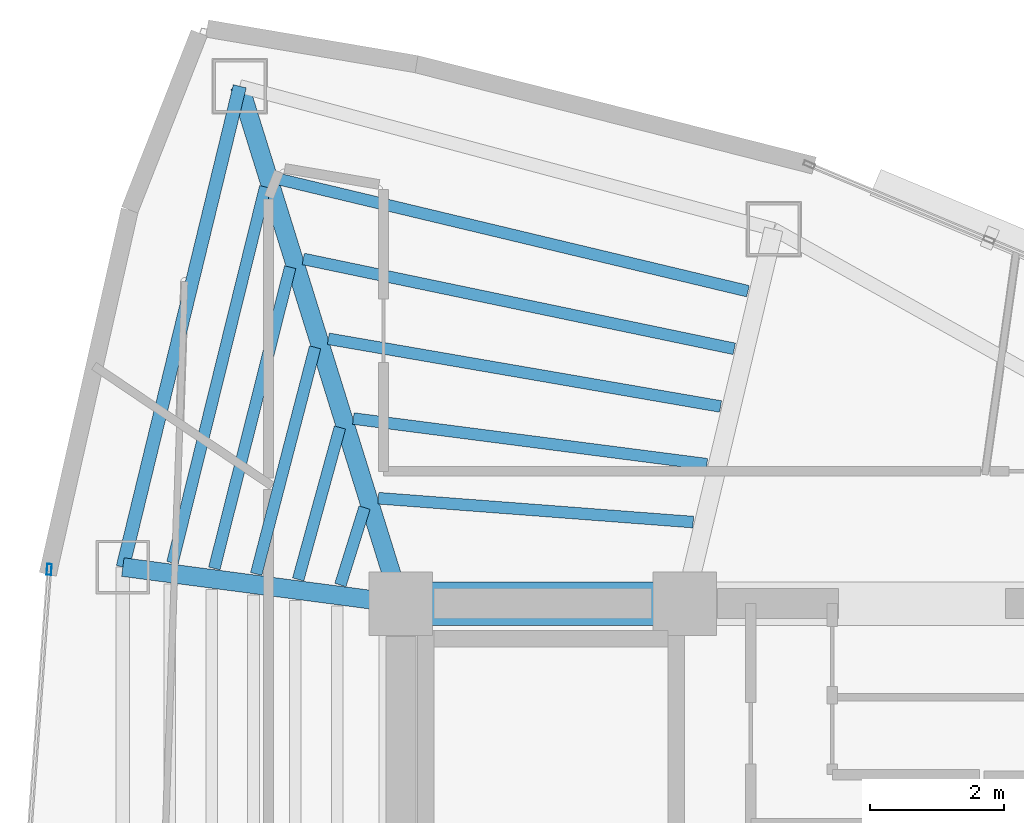
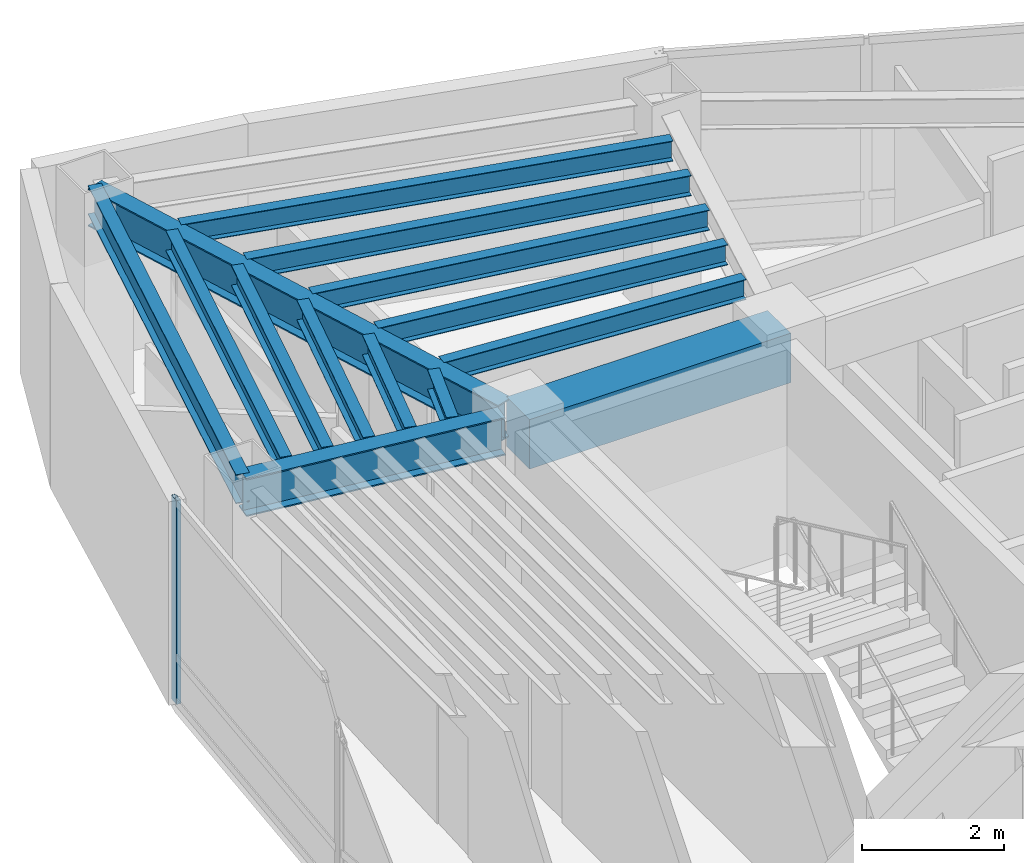
# One storey, part 7 of 16: 14 beams, 1 member, 1 element without a shape of its own.
"""IFC4 building model written with IfcOpenShell, lengths in metres."""

from ifc_helpers import new_model, si_unit, direction, frame, origin, origin_2d, place, context, subcontext, project, spatial, rectangle, hollow_rectangle, i_section, extrude, material, layer, layer_set, material_profile, profile_set, type_object, element, aggregate, save


model = new_model("IFC4")

# Units and contexts
model_context = context("Model", 3, precision=1e-05, world=origin(), true_north=direction((0.0, 1.0)))
body_context = subcontext(model_context, "Body", "Model", "MODEL_VIEW")
ifc_project = project(units=[si_unit("LENGTHUNIT", "METRE"), si_unit("AREAUNIT", "SQUARE_METRE"), si_unit("VOLUMEUNIT", "CUBIC_METRE"), si_unit("PLANEANGLEUNIT", "RADIAN"), si_unit("MASSUNIT", "GRAM", prefix="KILO")], contexts=[model_context])

# Site, building, storey
site_placement = place(None, origin())
site = spatial("IfcSite", under=ifc_project, at=site_placement, CompositionType="ELEMENT")
building_placement = place(site_placement, origin())
building = spatial("IfcBuilding", under=site, at=building_placement, Name="Menara Vayukalpa", CompositionType="ELEMENT")
storey_placement = place(building_placement, frame((0.0, 0.0, 280.6201171875)))
storey = spatial("IfcBuildingStorey", under=building, at=storey_placement, Name="L71", CompositionType="ELEMENT", Elevation=280.6201171875)

# Beams
ifc_material_1 = material(Name="Concrete C60/75", Category="concrete")
ifc_material_profile_1 = material_profile(ifc_material_1, rectangle(XDim=0.64990234375, YDim=0.85009765625, at=origin_2d()), Name="RC 650x850")
ifc_profile_set_1 = profile_set([ifc_material_profile_1], Name="Concrete C60/75")
beam_type_1 = type_object("IfcBeamType", Name="BM-CB1", PredefinedType="BEAM", material=ifc_profile_set_1)
beam_1_placement = place(storey_placement, frame((17.800048828125, 26.800048828125, 3.074951171875), z_axis=(1.0, 0.0, 0.0), x_axis=(0.0, 1.0, 0.0)))
element("IfcBeam", 1, at=beam_1_placement, inside=storey, type_object=beam_type_1, Name="L71 Core Tie Beam CBR4", PredefinedType="BEAM", context=body_context, shape_type="SweptSolid", body=[
    extrude(rectangle(XDim=0.64990234375, YDim=0.85009765625, at=origin_2d()), origin(), (0.0, 0.0, 1.0), 4.25),
])
ifc_material_2 = material(Name="Steel S355", Category="steel")
ifc_material_profile_2 = material_profile(ifc_material_2, i_section(OverallWidth=0.280029296875, OverallDepth=0.64990234375, WebThickness=0.012939453125, FlangeThickness=0.02197265625, at=origin_2d()), Name="WF 650x280x13x22")
ifc_profile_set_2 = profile_set([ifc_material_profile_2], Name="Steel S355")
beam_type_2 = type_object("IfcBeamType", Name="BM-PG6", PredefinedType="BEAM", material=ifc_profile_set_2)
beam_2_placement = place(storey_placement, frame((17.7255859375, 27.038818359375, 3.1748046875), z_axis=(-0.297213792842, 0.954810955815, 0.0), x_axis=(-0.954810955815, -0.297213792842, 0.0)))
element("IfcBeam", 2, at=beam_2_placement, inside=storey, type_object=beam_type_2, Name="L71 Primary Radial Girder RG04", PredefinedType="BEAM", context=body_context, shape_type="SweptSolid", body=[
    extrude(i_section(OverallWidth=0.280029296875, OverallDepth=0.64990234375, WebThickness=0.012939453125, FlangeThickness=0.02197265625, at=origin_2d()), origin(), (0.0, 0.0, 1.0), 7.861083984375),
])
beam_3_placement = place(storey_placement, frame((17.552001953125, 26.83251953125, 3.1748046875), z_axis=(-0.991477860763, 0.130275291662, 0.0), x_axis=(-0.130275291662, -0.991477860763, 0.0)))
element("IfcBeam", 3, at=beam_3_placement, inside=storey, type_object=beam_type_2, Name="L71 Primary Radial Girder RG05", PredefinedType="BEAM", context=body_context, shape_type="SweptSolid", body=[
    extrude(i_section(OverallWidth=0.280029296875, OverallDepth=0.64990234375, WebThickness=0.012939453125, FlangeThickness=0.02197265625, at=origin_2d()), origin(), (0.0, 0.0, 1.0), 3.94677734375),
])
ifc_material_3 = material(Name="Steel S355", Category="steel")
ifc_material_profile_3 = material_profile(ifc_material_3, i_section(OverallWidth=0.175048828125, OverallDepth=0.35009765625, WebThickness=0.007080078125, FlangeThickness=0.010986328125, at=origin_2d()), Name="WF 350x175x7x11")
ifc_profile_set_3 = profile_set([ifc_material_profile_3], Name="Steel S355")
beam_type_3 = type_object("IfcBeamType", Name="BM-SJ3", PredefinedType="JOIST", material=ifc_profile_set_3)
beam_4_placement = place(storey_placement, frame((22.177490234375, 28.0205078125, 3.324951171875), z_axis=(-0.997140447376, 0.075570683512, 0.0), x_axis=(-0.075570683512, -0.997140447376, 0.0)))
element("IfcBeam", 4, at=beam_4_placement, inside=storey, type_object=beam_type_3, Name="L71 Secondary Floor Joist SJ03-1", PredefinedType="JOIST", context=body_context, shape_type="SweptSolid", body=[
    extrude(i_section(OverallWidth=0.175048828125, OverallDepth=0.35009765625, WebThickness=0.007080078125, FlangeThickness=0.010986328125, at=origin_2d()), origin(), (0.0, 0.0, 1.0), 4.726318359375),
])
beam_5_placement = place(storey_placement, frame((22.38232421875, 28.88671875, 3.324951171875), z_axis=(-0.991761375414, 0.128099079766, 0.0), x_axis=(-0.128099079766, -0.991761375414, 0.0)))
element("IfcBeam", 5, at=beam_5_placement, inside=storey, type_object=beam_type_3, Name="L71 Secondary Floor Joist SJ03-2", PredefinedType="JOIST", context=body_context, shape_type="SweptSolid", body=[
    extrude(i_section(OverallWidth=0.175048828125, OverallDepth=0.35009765625, WebThickness=0.007080078125, FlangeThickness=0.010986328125, at=origin_2d()), origin(), (0.0, 0.0, 1.0), 5.33642578125),
])
beam_6_placement = place(storey_placement, frame((22.587158203125, 29.751220703125, 3.324951171875), z_axis=(-0.985438818134, 0.170030396443, 0.0), x_axis=(-0.170030396443, -0.985438818134, 0.0)))
element("IfcBeam", 6, at=beam_6_placement, inside=storey, type_object=beam_type_3, Name="L71 Secondary Floor Joist SJ03-3", PredefinedType="JOIST", context=body_context, shape_type="SweptSolid", body=[
    extrude(i_section(OverallWidth=0.175048828125, OverallDepth=0.35009765625, WebThickness=0.007080078125, FlangeThickness=0.010986328125, at=origin_2d()), origin(), (0.0, 0.0, 1.0), 5.958740234375),
])
beam_7_placement = place(storey_placement, frame((22.7919921875, 30.614501953125, 3.324951171875), z_axis=(-0.978940645958, 0.204145075108, 0.0), x_axis=(-0.204145075108, -0.978940645958, 0.0)))
element("IfcBeam", 7, at=beam_7_placement, inside=storey, type_object=beam_type_3, Name="L71 Secondary Floor Joist SJ03-4", PredefinedType="JOIST", context=body_context, shape_type="SweptSolid", body=[
    extrude(i_section(OverallWidth=0.175048828125, OverallDepth=0.35009765625, WebThickness=0.007080078125, FlangeThickness=0.010986328125, at=origin_2d()), origin(), (0.0, 0.0, 1.0), 6.5908203125),
])
beam_8_placement = place(storey_placement, frame((22.996826171875, 31.476806640625, 3.324951171875), z_axis=(-0.972633830791, 0.232343347656, 0.0), x_axis=(-0.232343347656, -0.972633830791, 0.0)))
element("IfcBeam", 8, at=beam_8_placement, inside=storey, type_object=beam_type_3, Name="L71 Secondary Floor Joist SJ03-5", PredefinedType="JOIST", context=body_context, shape_type="SweptSolid", body=[
    extrude(i_section(OverallWidth=0.175048828125, OverallDepth=0.35009765625, WebThickness=0.007080078125, FlangeThickness=0.010986328125, at=origin_2d()), origin(), (0.0, 0.0, 1.0), 7.229248046875),
])
beam_9_placement = place(storey_placement, frame((17.25732421875, 28.237060546875, 3.324951171875), z_axis=(-0.297954442868, -0.954580090917, 0.0), x_axis=(0.954580090917, -0.297954442868, 0.0)))
element("IfcBeam", 9, at=beam_9_placement, inside=storey, type_object=beam_type_3, Name="L71 Secondary Floor Joist SJ04-1", PredefinedType="JOIST", context=body_context, shape_type="SweptSolid", body=[
    extrude(i_section(OverallWidth=0.175048828125, OverallDepth=0.35009765625, WebThickness=0.007080078125, FlangeThickness=0.010986328125, at=origin_2d()), origin(), (0.0, 0.0, 1.0), 1.21435546875),
])
beam_10_placement = place(storey_placement, frame((16.888916015625, 29.436279296875, 3.324951171875), z_axis=(-0.264947201585, -0.96426292077, 0.0), x_axis=(0.96426292077, -0.264947201585, 0.0)))
element("IfcBeam", 10, at=beam_10_placement, inside=storey, type_object=beam_type_3, Name="L71 Secondary Floor Joist SJ04-2", PredefinedType="JOIST", context=body_context, shape_type="SweptSolid", body=[
    extrude(i_section(OverallWidth=0.175048828125, OverallDepth=0.35009765625, WebThickness=0.007080078125, FlangeThickness=0.010986328125, at=origin_2d()), origin(), (0.0, 0.0, 1.0), 2.35888671875),
])
beam_11_placement = place(storey_placement, frame((16.51708984375, 30.63671875, 3.324951171875), z_axis=(-0.251457685321, -0.967868292947, 0.0), x_axis=(0.967868292947, -0.251457685321, 0.0)))
element("IfcBeam", 11, at=beam_11_placement, inside=storey, type_object=beam_type_3, Name="L71 Secondary Floor Joist SJ04-3", PredefinedType="JOIST", context=body_context, shape_type="SweptSolid", body=[
    extrude(i_section(OverallWidth=0.175048828125, OverallDepth=0.35009765625, WebThickness=0.007080078125, FlangeThickness=0.010986328125, at=origin_2d()), origin(), (0.0, 0.0, 1.0), 3.5048828125),
])
beam_12_placement = place(storey_placement, frame((16.14453125, 31.83740234375, 3.324951171875), z_axis=(-0.244239657645, -0.969714901212, 0.0), x_axis=(0.969714901212, -0.244239657645, 0.0)))
element("IfcBeam", 12, at=beam_12_placement, inside=storey, type_object=beam_type_3, Name="L71 Secondary Floor Joist SJ04-4", PredefinedType="JOIST", context=body_context, shape_type="SweptSolid", body=[
    extrude(i_section(OverallWidth=0.175048828125, OverallDepth=0.35009765625, WebThickness=0.007080078125, FlangeThickness=0.010986328125, at=origin_2d()), origin(), (0.0, 0.0, 1.0), 4.651123046875),
])
beam_13_placement = place(storey_placement, frame((15.771240234375, 33.0380859375, 3.324951171875), z_axis=(-0.239690910211, -0.970849250688, 0.0), x_axis=(0.970849250688, -0.239690910211, 0.0)))
element("IfcBeam", 13, at=beam_13_placement, inside=storey, type_object=beam_type_3, Name="L71 Secondary Floor Joist SJ04-5", PredefinedType="JOIST", context=body_context, shape_type="SweptSolid", body=[
    extrude(i_section(OverallWidth=0.175048828125, OverallDepth=0.35009765625, WebThickness=0.007080078125, FlangeThickness=0.010986328125, at=origin_2d()), origin(), (0.0, 0.0, 1.0), 5.797607421875),
])
ifc_material_4 = material(Name="Steel S355", Category="steel")
ifc_material_profile_4 = material_profile(ifc_material_4, i_section(OverallWidth=0.199951171875, OverallDepth=0.5, WebThickness=0.010009765625, FlangeThickness=0.01611328125, at=origin_2d()), Name="WF 500x200x10x16")
ifc_profile_set_4 = profile_set([ifc_material_profile_4], Name="Steel S355")
beam_type_4 = type_object("IfcBeamType", Name="BM-SP3", PredefinedType="SPANDREL", material=ifc_profile_set_4)
beam_14_placement = place(storey_placement, frame((15.38916015625, 34.544677734375, 3.25), z_axis=(-0.236272525754, -0.97168682896, 0.0), x_axis=(0.97168682896, -0.236272525754, 0.0)))
element("IfcBeam", 14, at=beam_14_placement, inside=storey, type_object=beam_type_4, Name="L71 Perimeter Spandrel Beam SP04", PredefinedType="SPANDREL", context=body_context, shape_type="SweptSolid", body=[
    extrude(i_section(OverallWidth=0.199951171875, OverallDepth=0.5, WebThickness=0.010009765625, FlangeThickness=0.01611328125, at=origin_2d()), origin(), (0.0, 0.0, 1.0), 7.40771484375),
])

# Curtain wall, member
ifc_material_5 = material(Name="Anodised Terracotta Aluminium Alloy 6063-T6", Category="masonry")
ifc_layer = layer(ifc_material_5, 0.1650390625)
ifc_layer_set = layer_set([ifc_layer], Name="Anodised Terracotta Aluminium Alloy 6063-T6")
curtain_wall_type = type_object("IfcCurtainWallType", Name="CW-CW6", PredefinedType="USERDEFINED", material=ifc_layer_set)
curtain_wall_placement = place(storey_placement, origin())
curtain_wall = element("IfcCurtainWall", 15, at=curtain_wall_placement, inside=storey, type_object=curtain_wall_type, Name="L71 Observation and Executive Curtain Wall CW6 10", ObjectType="UNITISED", PredefinedType="USERDEFINED")
ifc_material_6 = material(Name="Anodised Terracotta Aluminium Alloy 6063-T6", Category="masonry")
ifc_material_profile_5 = material_profile(ifc_material_6, hollow_rectangle(XDim=0.070068359375, YDim=0.1650390625, WallThickness=0.00390625, at=origin_2d()), Name="ALU 70x165x4")
ifc_profile_set_5 = profile_set([ifc_material_profile_5], Name="Anodised Terracotta Aluminium Alloy 6063-T6")
member_type = type_object("IfcMemberType", Name="CWM-CW6", PredefinedType="MULLION", material=ifc_profile_set_5)
member_placement = place(storey_placement, frame((12.536376953125, 27.311767578125, 0.0), z_axis=(0.0, 0.0, 1.0), x_axis=(0.997199344663, -0.074789484574, 0.0)))
member = element("IfcMember", 16, at=member_placement, type_object=member_type, Name="CW6 mullion 1", PredefinedType="MULLION", context=body_context, shape_type="SweptSolid", body=[
    extrude(hollow_rectangle(XDim=0.070068359375, YDim=0.1650390625, WallThickness=0.00390625, at=origin_2d()), origin(), (0.0, 0.0, 1.0), 3.5),
])
aggregate(curtain_wall, [member])

save(model, "model.ifc")
